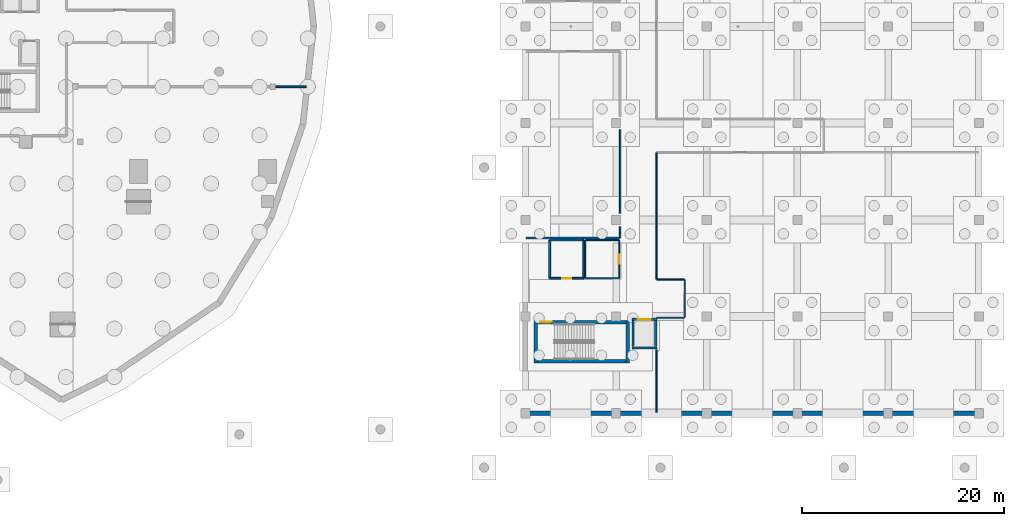
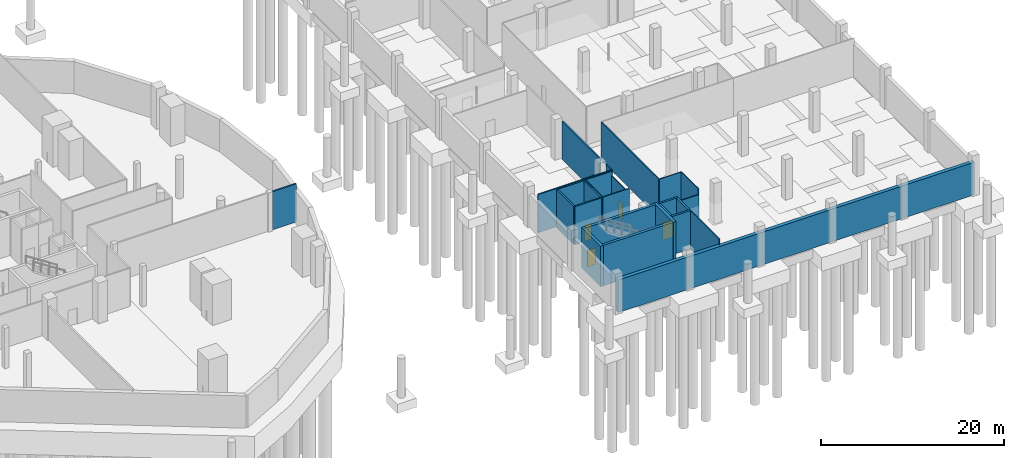
# One storey, part 7 of 22: 26 walls, 4 doors, 4 openings.
"""IFC4 building model written with IfcOpenShell, lengths in metres."""

import ifcopenshell
import ifcopenshell.guid

model = None  # the IFC model being written
_history = None  # IfcOwnerHistory: only IFC2X3 demands one
_inside = {}  # id of a spatial element -> (the spatial element, [elements in it])
_under = {}  # id of a project, library or spatial element -> (it, [spatial elements below it])
_declared = {}  # id of a project -> (the project, [libraries it declares])
_typed = {}  # id of a type object -> (the type object, [elements of that type])
_made_of = {}  # id of a material, layer set ... -> (it, [elements and type objects made of it])


def new_model(schema):
    """Start an empty IFC model of exactly this schema.

    Asked for "IFC4X3", IfcOpenShell would pick the latest addendum, in which some entities
    have other attributes; the version numbers below select the first issue.
    IFC2X3 requires an IfcOwnerHistory on every rooted entity: one is made here for all.
    """
    global model, _history
    if schema == "IFC4X3":
        model = ifcopenshell.file(schema_version=(4, 3, 0, 0))
    else:
        model = ifcopenshell.file(schema=schema)
    _inside.clear()
    _under.clear()
    _declared.clear()
    _typed.clear()
    _made_of.clear()
    _history = None
    if model.schema == "IFC2X3":
        org = make("IfcOrganization", Name="unknown")
        user = make(
            "IfcPersonAndOrganization",
            ThePerson=make("IfcPerson", FamilyName="unknown"),
            TheOrganization=org,
        )
        app = make(
            "IfcApplication",
            ApplicationDeveloper=org,
            Version="unknown",
            ApplicationFullName="unknown",
            ApplicationIdentifier="unknown",
        )
        _history = make(
            "IfcOwnerHistory",
            OwningUser=user,
            OwningApplication=app,
            ChangeAction="ADDED",
            CreationDate=0,
        )
    return model


def make(cls, **values):
    """One entity of the class cls with the attributes given. An attribute that is None is left unset."""
    return model.create_entity(
        cls, **{name: value for name, value in values.items() if value is not None}
    )


def rooted(cls, **values):
    """An entity with a GlobalId (a new one), such as an element, a storey or a relation."""
    return make(cls, GlobalId=ifcopenshell.guid.new(), OwnerHistory=_history, **values)


def si_unit(unit_type, name, prefix=None):
    """IfcSIUnit, for example si_unit("LENGTHUNIT", "METRE", prefix="MILLI")."""
    return make("IfcSIUnit", UnitType=unit_type, Prefix=prefix, Name=name)


def assignment(units):
    """IfcUnitAssignment: the units of a project."""
    return None if units is None else make("IfcUnitAssignment", Units=units)


def point(xyz):
    """IfcCartesianPoint."""
    return None if xyz is None else make("IfcCartesianPoint", Coordinates=xyz)


def direction(xyz):
    """IfcDirection."""
    return None if xyz is None else make("IfcDirection", DirectionRatios=xyz)


def frame(location, z_axis=None, x_axis=None):
    """IfcAxis2Placement3D, a coordinate frame: its origin and axes. An axis left out is left unset."""
    return make(
        "IfcAxis2Placement3D",
        Location=point(location),
        Axis=direction(z_axis),
        RefDirection=direction(x_axis),
    )


def frame_2d(location, x_axis=None):
    """IfcAxis2Placement2D, a coordinate frame in the plane: its origin and x axis."""
    return make(
        "IfcAxis2Placement2D", Location=point(location), RefDirection=direction(x_axis)
    )


def origin():
    """The frame at (0, 0, 0) with its axes left unset."""
    return frame((0.0, 0.0, 0.0))


def place(relative_to, where):
    """IfcLocalPlacement: puts the frame where relative to a parent placement (None: the world)."""
    return make(
        "IfcLocalPlacement", PlacementRelTo=relative_to, RelativePlacement=where
    )


def context(
    kind, dimensions, precision=None, world=None, true_north=None, identifier=None
):
    """IfcGeometricRepresentationContext, for example the 3D "Model" context."""
    return make(
        "IfcGeometricRepresentationContext",
        ContextIdentifier=identifier,
        ContextType=kind,
        CoordinateSpaceDimension=dimensions,
        Precision=precision,
        WorldCoordinateSystem=world,
        TrueNorth=true_north,
    )


def subcontext(parent, identifier, kind, view, scale=None):
    """IfcGeometricRepresentationSubContext, for example "Body" below "Model"."""
    return make(
        "IfcGeometricRepresentationSubContext",
        ContextIdentifier=identifier,
        ContextType=kind,
        ParentContext=parent,
        TargetScale=scale,
        TargetView=view,
    )


def project(units=None, contexts=None):
    """IfcProject with its units and contexts."""
    return rooted(
        "IfcProject",
        Name="project",
        RepresentationContexts=contexts,
        UnitsInContext=assignment(units),
    )


def spatial(cls, under=None, at=None, **own):
    """A site, building, storey or space (cls), placed at a placement, below another one or the project."""
    s = rooted(cls, ObjectPlacement=at, **own)
    if under is not None:
        _under.setdefault(under.id(), (under, []))[1].append(s)
    return s


def profile(cls, at=None, kind="AREA", **sizes):
    """A parametric profile (cls). Its sizes go by their IFC names, for example OverallWidth=200.0."""
    return make(cls, ProfileType=kind, Position=at, **sizes)


def rectangle(**sizes):
    """IfcRectangleProfileDef."""
    return profile("IfcRectangleProfileDef", **sizes)


def extrude(swept, where, along, depth):
    """IfcExtrudedAreaSolid: the profile swept, set in the frame where, extruded along a direction by depth."""
    return make(
        "IfcExtrudedAreaSolid",
        SweptArea=swept,
        Position=where,
        ExtrudedDirection=direction(along),
        Depth=depth,
    )


def shape(context_of_items, identifier, shape_type, items):
    """IfcShapeRepresentation: the items that make up one representation, for example the "Body"."""
    return make(
        "IfcShapeRepresentation",
        ContextOfItems=context_of_items,
        RepresentationIdentifier=identifier,
        RepresentationType=shape_type,
        Items=items,
    )


def material(Name=None, Category=None):
    """IfcMaterial."""
    return make("IfcMaterial", Name=Name, Category=Category)


def layer(
    of_material, thickness, ventilated=None, Name=None, Category=None, Priority=None
):
    """IfcMaterialLayer: one layer of a wall or slab, of a material (None: an air gap)."""
    return make(
        "IfcMaterialLayer",
        Material=of_material,
        LayerThickness=thickness,
        IsVentilated=ventilated,
        Name=Name,
        Category=Category,
        Priority=Priority,
    )


def layer_set(layers, Name=None):
    """IfcMaterialLayerSet."""
    return make("IfcMaterialLayerSet", MaterialLayers=layers, LayerSetName=Name)


def made_of(thing, what):
    """Note that an element or type object is made of a material, layer set ...; save() writes the relation."""
    if what is not None:
        _made_of.setdefault(what.id(), (what, []))[1].append(thing)
    return thing


def type_object(cls, material=None, **own):
    """A type object (cls), such as IfcWallType, which elements share."""
    return made_of(rooted(cls, **own), material)


def element(
    cls,
    number,
    at=None,
    inside=None,
    cuts=None,
    type_object=None,
    material=None,
    context=None,
    identifier="Body",
    shape_type=None,
    held_by="IfcProductDefinitionShape",
    body=None,
    shapes=None,
    **own,
):
    """One element of the class cls, such as IfcWall. Its Tag is "e" and its number.

    at: its placement. inside: the storey or other place that contains it. cuts: it is an
    opening in that element (IfcRelVoidsElement). A single representation is given by context,
    identifier, shape_type and body (its items); several are given by shapes. held_by: the class
    of the entity that holds the representations. save() writes the other relations.
    """
    e = rooted(cls, Tag="e%d" % number, ObjectPlacement=at, **own)
    if body is not None:
        shapes = [shape(context, identifier, shape_type, body)]
    if shapes is not None:
        e.Representation = make(held_by, Representations=shapes)
    if inside is not None:
        _inside.setdefault(inside.id(), (inside, []))[1].append(e)
    if cuts is not None:
        rooted(
            "IfcRelVoidsElement", RelatingBuildingElement=cuts, RelatedOpeningElement=e
        )
    if type_object is not None:
        _typed.setdefault(type_object.id(), (type_object, []))[1].append(e)
    return made_of(e, material)


def fill(opening, filler):
    """IfcRelFillsElement: the door or window that sits in an opening."""
    return rooted(
        "IfcRelFillsElement",
        RelatingOpeningElement=opening,
        RelatedBuildingElement=filler,
    )


def aggregate(whole, parts):
    """IfcRelAggregates: a whole, such as a stair, and the parts it consists of."""
    return rooted("IfcRelAggregates", RelatingObject=whole, RelatedObjects=parts)


def save(model, path):
    """Write the relations noted so far, then the file.

    IfcRelAggregates (storeys below a building ...), IfcRelContainedInSpatialStructure (elements
    in a storey), IfcRelDefinesByType, IfcRelAssociatesMaterial and IfcRelDeclares: one each for
    every whole, place, type object, material and project.
    """
    for whole, parts in _under.values():
        aggregate(whole, parts)
    for where, things in _inside.values():
        rooted(
            "IfcRelContainedInSpatialStructure",
            RelatedElements=things,
            RelatingStructure=where,
        )
    for kind, things in _typed.values():
        rooted("IfcRelDefinesByType", RelatedObjects=things, RelatingType=kind)
    for what, things in _made_of.values():
        rooted("IfcRelAssociatesMaterial", RelatedObjects=things, RelatingMaterial=what)
    for by, libraries in _declared.values():
        rooted("IfcRelDeclares", RelatingContext=by, RelatedDefinitions=libraries)
    model.write(path)


model = new_model("IFC4")

# Units and contexts
model_context = context("Model", 3, precision=1e-05, world=origin(), true_north=direction((0.0, 1.0)))
body_context = subcontext(model_context, "Body", "Model", "MODEL_VIEW")
ifc_project = project(units=[si_unit("LENGTHUNIT", "METRE"), si_unit("AREAUNIT", "SQUARE_METRE"), si_unit("VOLUMEUNIT", "CUBIC_METRE"), si_unit("PLANEANGLEUNIT", "RADIAN"), si_unit("MASSUNIT", "GRAM", prefix="KILO")], contexts=[model_context])

# Site, building, storey
site_placement = place(None, origin())
site = spatial("IfcSite", under=ifc_project, at=site_placement, CompositionType="ELEMENT")
building_placement = place(site_placement, origin())
building = spatial("IfcBuilding", under=site, at=building_placement, Name="Qorvath Tower", CompositionType="ELEMENT")
storey_placement = place(building_placement, frame((0.0, 0.0, -5.39990234375)))
storey = spatial("IfcBuildingStorey", under=building, at=storey_placement, Name="B01", CompositionType="ELEMENT", Elevation=-5.39990234375)

# Wall
ifc_material_1 = material(Name="Gypsum shaftliner on steel studs", Category="steel")
ifc_layer_1 = layer(ifc_material_1, 0.179931640625)
ifc_layer_set_1 = layer_set([ifc_layer_1], Name="FW-LOBBY")
wall_type_1 = type_object("IfcWallType", Name="FW-LOBBY", PredefinedType="PARTITIONING", material=ifc_layer_set_1)
wall_1_placement = place(storey_placement, frame((10.645751953125, -6.0, 0.0), z_axis=(0.0, 0.0, 1.0), x_axis=(-1.0, 0.0, 0.0)))
element("IfcWall", 1, at=wall_1_placement, inside=storey, type_object=wall_type_1, Name="Interior Partition IW-T1-B01-018", PredefinedType="PARTITIONING", context=body_context, shape_type="SweptSolid", body=[
    extrude(rectangle(XDim=3.005859375, YDim=0.179931640625, at=frame_2d((1.5029296875, 0.0))), origin(), (0.0, 0.0, 1.0), 5.099853515625),
])

# Wall, opening, door
wall_2_placement = place(storey_placement, frame((34.824951171875, -25.0, 0.0), z_axis=(0.0, 0.0, 1.0), x_axis=(1.0, 0.0, 0.0)))
wall_2 = element("IfcWall", 2, at=wall_2_placement, inside=storey, type_object=wall_type_1, Name="Interior Partition IW-LB-B01-023", PredefinedType="PARTITIONING", context=body_context, shape_type="SweptSolid", body=[
    extrude(rectangle(XDim=3.35009765625, YDim=0.179931640625, at=frame_2d((1.675048828125, 0.0))), origin(), (0.0, 0.0, 1.0), 5.099853515625),
])
opening_1_placement = place(wall_2_placement, frame((1.235107421875, 0.0, 0.0)))
opening_1 = element("IfcOpeningElement", 3, at=opening_1_placement, cuts=wall_2, Name="Opening D-LB-B01-06", PredefinedType="OPENING", context=body_context, shape_type="SweptSolid", body=[
    extrude(rectangle(XDim=0.8798828125, YDim=2.10009765625, at=frame_2d((0.43994140625, 1.050048828125))), frame((0.0, 0.10009765625, 0.0), z_axis=(0.0, -1.0, 0.0), x_axis=(1.0, 0.0, 0.0)), (0.0, 0.0, 1.0), 0.199951171875),
])
ifc_material_2 = material(Name="Painted galvanised hollow metal", Category="steel")
door_type_1 = type_object("IfcDoorType", Name="FD-60N", OperationType="NOTDEFINED", PredefinedType="DOOR", material=ifc_material_2)
door_1_placement = place(opening_1_placement, origin())
door_1 = element("IfcDoor", 4, at=door_1_placement, inside=storey, type_object=door_type_1, Name="Cleaner Custodial Closet B01 Door D-LB-B01-06", OperationType="SINGLE_SWING_LEFT", OverallHeight=2.10009765625, OverallWidth=0.8798828125, PredefinedType="DOOR", context=body_context, shape_type="SweptSolid", body=[
    extrude(rectangle(XDim=0.8798828125, YDim=2.10009765625, at=frame_2d((0.43994140625, 1.050048828125))), frame((0.0, 0.02490234375, 0.0), z_axis=(0.0, -1.0, 0.0), x_axis=(1.0, 0.0, 0.0)), (0.0, 0.0, 1.0), 0.050048828125),
])
fill(opening_1, door_1)

# Walls
wall_3_placement = place(storey_placement, frame((38.199951171875, -24.97509765625, 0.0), z_axis=(0.0, 0.0, 1.0), x_axis=(0.0, 1.0, 0.0)))
element("IfcWall", 5, at=wall_3_placement, inside=storey, type_object=wall_type_1, Name="Interior Partition IW-LB-B01-024", PredefinedType="PARTITIONING", context=body_context, shape_type="SweptSolid", body=[
    extrude(rectangle(XDim=3.75, YDim=0.179931640625, at=frame_2d((1.875, 0.0))), origin(), (0.0, 0.0, 1.0), 5.099853515625),
])
wall_4_placement = place(storey_placement, frame((38.175048828125, -21.199951171875, 0.0), z_axis=(0.0, 0.0, 1.0), x_axis=(-1.0, 0.0, 0.0)))
element("IfcWall", 6, at=wall_4_placement, inside=storey, type_object=wall_type_1, Name="Interior Partition IW-LB-B01-025", PredefinedType="PARTITIONING", context=body_context, shape_type="SweptSolid", body=[
    extrude(rectangle(XDim=3.35009765625, YDim=0.179931640625, at=frame_2d((1.675048828125, 0.0))), origin(), (0.0, 0.0, 1.0), 5.099853515625),
])
wall_5_placement = place(storey_placement, frame((34.800048828125, -21.22509765625, 0.0), z_axis=(0.0, 0.0, 1.0), x_axis=(0.0, -1.0, 0.0)))
element("IfcWall", 7, at=wall_5_placement, inside=storey, type_object=wall_type_1, Name="Interior Partition IW-LB-B01-026", PredefinedType="PARTITIONING", context=body_context, shape_type="SweptSolid", body=[
    extrude(rectangle(XDim=3.75, YDim=0.179931640625, at=frame_2d((1.875, 0.0))), origin(), (0.0, 0.0, 1.0), 5.099853515625),
])
ifc_material_3 = material(Name="Double acoustic gypsum board on steel studs", Category="steel")
ifc_layer_2 = layer(ifc_material_3, 0.159912109375)
ifc_layer_set_2 = layer_set([ifc_layer_2], Name="IW-ACOUSTIC-160")
wall_type_2 = type_object("IfcWallType", Name="IW-ACOUSTIC-160", PredefinedType="PARTITIONING", material=ifc_layer_set_2)
wall_6_placement = place(storey_placement, frame((32.47998046875, -21.0, 0.0), z_axis=(0.0, 0.0, 1.0), x_axis=(1.0, 0.0, 0.0)))
element("IfcWall", 8, at=wall_6_placement, inside=storey, type_object=wall_type_2, Name="Interior Partition IW-LB-B01-013", PredefinedType="PARTITIONING", context=body_context, shape_type="SweptSolid", body=[
    extrude(rectangle(XDim=9.294921875, YDim=0.159912109375, at=frame_2d((4.6474609375, 0.0))), origin(), (0.0, 0.0, 1.0), 5.099853515625),
])
wall_7_placement = place(storey_placement, frame((41.800048828125, -20.97509765625, 0.0), z_axis=(0.0, 0.0, 1.0), x_axis=(0.0, 1.0, 0.0)))
element("IfcWall", 9, at=wall_7_placement, inside=storey, type_object=wall_type_2, Name="Interior Partition IW-LB-B01-014", PredefinedType="PARTITIONING", context=body_context, shape_type="SweptSolid", body=[
    extrude(rectangle(XDim=1.10009765625, YDim=0.159912109375, at=frame_2d((0.550048828125, 0.0))), origin(), (0.0, 0.0, 1.0), 5.099853515625),
])
wall_8_placement = place(storey_placement, frame((41.800048828125, -18.52490234375, 0.0), z_axis=(0.0, 0.0, 1.0), x_axis=(0.0, 1.0, 0.0)))
element("IfcWall", 10, at=wall_8_placement, inside=storey, type_object=wall_type_2, Name="Interior Partition IW-LB-B01-015", PredefinedType="PARTITIONING", context=body_context, shape_type="SweptSolid", body=[
    extrude(rectangle(XDim=8.25, YDim=0.159912109375, at=frame_2d((4.125, 0.0))), origin(), (0.0, 0.0, 1.0), 5.099853515625),
])
ifc_material_4 = material(Name="Gypsum board on metal studs with mineral wool", Category="gypsum")
ifc_layer_3 = layer(ifc_material_4, 0.125)
ifc_layer_set_3 = layer_set([ifc_layer_3], Name="IW-PART-125")
wall_type_3 = type_object("IfcWallType", Name="IW-PART-125", PredefinedType="PARTITIONING", material=ifc_layer_set_3)
wall_9_placement = place(storey_placement, frame((45.407958984375, -12.533203125, 0.0), z_axis=(0.0, 0.0, 1.0), x_axis=(0.0, -1.0, 0.0)))
element("IfcWall", 11, at=wall_9_placement, inside=storey, type_object=wall_type_3, Name="Interior Partition IW-LB-B01-044", PredefinedType="PARTITIONING", context=body_context, shape_type="SweptSolid", body=[
    extrude(rectangle(XDim=12.553955078125, YDim=0.125, at=frame_2d((6.27685546875, 0.0))), origin(), (0.0, 0.0, 1.0), 5.099853515625),
])
wall_10_placement = place(storey_placement, frame((48.18310546875, -25.112060546875, 0.0), z_axis=(0.0, 0.0, 1.0), x_axis=(-1.0, 0.0, 0.0)))
element("IfcWall", 12, at=wall_10_placement, inside=storey, type_object=wall_type_3, Name="Interior Partition IW-LB-B01-045", PredefinedType="PARTITIONING", context=body_context, shape_type="SweptSolid", body=[
    extrude(rectangle(XDim=2.75, YDim=0.125, at=frame_2d((1.375, 0.0))), origin(), (0.0, 0.0, 1.0), 5.099853515625),
])
wall_11_placement = place(storey_placement, frame((48.2080078125, -25.13720703125, 0.0), z_axis=(0.0, 0.0, 1.0), x_axis=(0.0, -1.0, 0.0)))
element("IfcWall", 13, at=wall_11_placement, inside=storey, type_object=wall_type_3, Name="Interior Partition IW-LB-B01-046", PredefinedType="PARTITIONING", context=body_context, shape_type="SweptSolid", body=[
    extrude(rectangle(XDim=3.745849609375, YDim=0.125, at=frame_2d((1.873046875, 0.0))), origin(), (0.0, 0.0, 1.0), 5.099853515625),
])
wall_12_placement = place(storey_placement, frame((45.4248046875, -28.907958984375, 0.0), z_axis=(0.0, 0.0, 1.0), x_axis=(1.0, 0.0, 0.0)))
element("IfcWall", 14, at=wall_12_placement, inside=storey, type_object=wall_type_3, Name="Interior Partition IW-LB-B01-047", PredefinedType="PARTITIONING", context=body_context, shape_type="SweptSolid", body=[
    extrude(rectangle(XDim=2.75830078125, YDim=0.125, at=frame_2d((1.379150390625, 0.0))), origin(), (0.0, 0.0, 1.0), 4.3740234375),
])
wall_13_placement = place(storey_placement, frame((45.39990234375, -32.0849609375, 0.0), z_axis=(0.0, 0.0, 1.0), x_axis=(0.0, -1.0, 0.0)))
element("IfcWall", 15, at=wall_13_placement, inside=storey, type_object=wall_type_3, Name="Interior Partition IW-LB-B01-048", PredefinedType="PARTITIONING", context=body_context, shape_type="SweptSolid", body=[
    extrude(rectangle(XDim=6.235107421875, YDim=0.125, at=frame_2d((3.11767578125, 0.0))), origin(), (0.0, 0.0, 1.0), 5.099853515625),
])
ifc_material_5 = material(Name="Moisture-resistant cement board on metal studs", Category="gypsum")
ifc_layer_4 = layer(ifc_material_5, 0.110107421875)
ifc_layer_set_4 = layer_set([ifc_layer_4], Name="IW-WC-110")
wall_type_4 = type_object("IfcWallType", Name="IW-WC-110", PredefinedType="PARTITIONING", material=ifc_layer_set_4)
wall_14_placement = place(storey_placement, frame((38.375, -25.0, 0.0), z_axis=(0.0, 0.0, 1.0), x_axis=(1.0, 0.0, 0.0)))
element("IfcWall", 16, at=wall_14_placement, inside=storey, type_object=wall_type_4, Name="Interior Partition IW-LB-B01-009", PredefinedType="PARTITIONING", context=body_context, shape_type="SweptSolid", body=[
    extrude(rectangle(XDim=3.300048828125, YDim=0.110107421875, at=frame_2d((1.64990234375, 0.0))), origin(), (0.0, 0.0, 1.0), 5.099853515625),
])

# Wall, opening, door
wall_15_placement = place(storey_placement, frame((41.699951171875, -24.97509765625, 0.0), z_axis=(0.0, 0.0, 1.0), x_axis=(0.0, 1.0, 0.0)))
wall_15 = element("IfcWall", 17, at=wall_15_placement, inside=storey, type_object=wall_type_4, Name="Interior Partition IW-LB-B01-010", PredefinedType="PARTITIONING", context=body_context, shape_type="SweptSolid", body=[
    extrude(rectangle(XDim=3.75, YDim=0.110107421875, at=frame_2d((1.875, 0.0))), origin(), (0.0, 0.0, 1.0), 4.453857421875),
])
opening_2_placement = place(wall_15_placement, frame((1.43505859375, 0.0, 0.0)))
opening_2 = element("IfcOpeningElement", 18, at=opening_2_placement, cuts=wall_15, Name="Opening D-LB-B01-03", PredefinedType="OPENING", context=body_context, shape_type="SweptSolid", body=[
    extrude(rectangle(XDim=0.8798828125, YDim=2.10009765625, at=frame_2d((0.43994140625, 1.050048828125))), frame((0.0, 0.06494140625, 0.0), z_axis=(0.0, -1.0, 0.0), x_axis=(1.0, 0.0, 0.0)), (0.0, 0.0, 1.0), 0.130126953125),
])
ifc_material_6 = material(Name="Solid-core oak with acoustic drop seal", Category="wood")
door_type_2 = type_object("IfcDoorType", Name="D-02", OperationType="NOTDEFINED", PredefinedType="DOOR", material=ifc_material_6)
door_2_placement = place(opening_2_placement, origin())
door_2 = element("IfcDoor", 19, at=door_2_placement, inside=storey, type_object=door_type_2, Name="Accessible WC East Wing B01 Door D-LB-B01-03", OperationType="SINGLE_SWING_RIGHT", OverallHeight=2.10009765625, OverallWidth=0.8798828125, PredefinedType="DOOR", context=body_context, shape_type="SweptSolid", body=[
    extrude(rectangle(XDim=0.8798828125, YDim=2.10009765625, at=frame_2d((0.43994140625, 1.050048828125))), frame((0.0, 0.02490234375, 0.0), z_axis=(0.0, -1.0, 0.0), x_axis=(1.0, 0.0, 0.0)), (0.0, 0.0, 1.0), 0.050048828125),
])
fill(opening_2, door_2)

# Walls
wall_16_placement = place(storey_placement, frame((41.675048828125, -21.199951171875, 0.0), z_axis=(0.0, 0.0, 1.0), x_axis=(-1.0, 0.0, 0.0)))
element("IfcWall", 20, at=wall_16_placement, inside=storey, type_object=wall_type_4, Name="Interior Partition IW-LB-B01-011", PredefinedType="PARTITIONING", context=body_context, shape_type="SweptSolid", body=[
    extrude(rectangle(XDim=3.300048828125, YDim=0.110107421875, at=frame_2d((1.64990234375, 0.0))), origin(), (0.0, 0.0, 1.0), 5.099853515625),
])
wall_17_placement = place(storey_placement, frame((38.35009765625, -21.22509765625, 0.0), z_axis=(0.0, 0.0, 1.0), x_axis=(0.0, -1.0, 0.0)))
element("IfcWall", 21, at=wall_17_placement, inside=storey, type_object=wall_type_4, Name="Interior Partition IW-LB-B01-012", PredefinedType="PARTITIONING", context=body_context, shape_type="SweptSolid", body=[
    extrude(rectangle(XDim=3.75, YDim=0.110107421875, at=frame_2d((1.875, 0.0))), origin(), (0.0, 0.0, 1.0), 5.099853515625),
])
ifc_material_7 = material(Name="Concrete C60/75", Category="concrete")
ifc_layer_5 = layer(ifc_material_7, 0.260009765625)
ifc_layer_set_5 = layer_set([ifc_layer_5], Name="SW-SHAFT")
wall_type_5 = type_object("IfcWallType", Name="SW-SHAFT", PredefinedType="SHEAR", material=ifc_layer_set_5)
wall_18_placement = place(storey_placement, frame((45.43994140625, -31.919921875, 0.0), z_axis=(0.0, 0.0, 1.0), x_axis=(-1.0, 0.0, 0.0)))
element("IfcWall", 22, at=wall_18_placement, inside=storey, type_object=wall_type_5, Name="Hoistway Wall LGL-1 B01 S", PredefinedType="SHEAR", context=body_context, shape_type="SweptSolid", body=[
    extrude(rectangle(XDim=2.47998046875, YDim=0.239990234375, at=frame_2d((1.239990234375, 0.0))), origin(), (0.0, 0.0, 1.0), 5.099853515625),
])

# Wall, opening, door
wall_19_placement = place(storey_placement, frame((42.9599609375, -29.080078125, 0.0), z_axis=(0.0, 0.0, 1.0), x_axis=(1.0, 0.0, 0.0)))
wall_19 = element("IfcWall", 23, at=wall_19_placement, inside=storey, type_object=wall_type_5, Name="Hoistway Wall LGL-1 B01 N", PredefinedType="SHEAR", context=body_context, shape_type="SweptSolid", body=[
    extrude(rectangle(XDim=2.47998046875, YDim=0.239990234375, at=frame_2d((1.239990234375, 0.0))), origin(), (0.0, 0.0, 1.0), 5.099853515625),
])
opening_3_placement = place(wall_19_placement, frame((0.590087890625, 0.0, 0.0)))
opening_3 = element("IfcOpeningElement", 24, at=opening_3_placement, cuts=wall_19, Name="Opening LD-LGL-1-B01", PredefinedType="OPENING", context=body_context, shape_type="SweptSolid", body=[
    extrude(rectangle(XDim=1.300048828125, YDim=2.300048828125, at=frame_2d((0.64990234375, 1.14990234375))), frame((0.0, 0.1298828125, 0.0), z_axis=(0.0, -1.0, 0.0), x_axis=(1.0, 0.0, 0.0)), (0.0, 0.0, 1.0), 0.260009765625),
])
ifc_material_8 = material(Name="Brushed stainless steel AISI 316", Category="steel")
door_type_3 = type_object("IfcDoorType", Name="LD-02", OperationType="NOTDEFINED", PredefinedType="DOOR", material=ifc_material_8)
door_3_placement = place(opening_3_placement, origin())
door_3 = element("IfcDoor", 25, at=door_3_placement, inside=storey, type_object=door_type_3, Name="Elevator Landing Sliding Door LD-LGL-1-B01", OperationType="DOUBLE_DOOR_SLIDING", OverallHeight=2.300048828125, OverallWidth=1.300048828125, PredefinedType="DOOR", context=body_context, shape_type="SweptSolid", body=[
    extrude(rectangle(XDim=1.300048828125, YDim=2.300048828125, at=frame_2d((0.64990234375, 1.14990234375))), frame((0.0, 0.02490234375, 0.0), z_axis=(0.0, -1.0, 0.0), x_axis=(1.0, 0.0, 0.0)), (0.0, 0.0, 1.0), 0.050048828125),
])
fill(opening_3, door_3)

# Walls
for number, where, z_axis, x_axis, name in (
    (26, (43.080078125, -31.7880859375, 0.0), (0.0, 0.0, 1.0), (0.0, 1.0, 0.0), "Hoistway Wall LGL-1 B01 W"),
    (27, (45.320068359375, -29.2119140625, 0.0), (0.0, 0.0, 1.0), (0.0, -1.0, 0.0), "Hoistway Wall LGL-1 B01 E"),
):
    element("IfcWall", number, at=place(storey_placement, frame(where, z_axis=z_axis, x_axis=x_axis)), inside=storey, type_object=wall_type_5, Name=name, PredefinedType="SHEAR", context=body_context, shape_type="SweptSolid", body=[
        extrude(rectangle(XDim=2.576171875, YDim=0.239990234375, at=frame_2d((1.2880859375, 0.0))), origin(), (0.0, 0.0, 1.0), 5.099853515625),
    ])
ifc_material_9 = material(Name="Concrete C60/75", Category="concrete")
ifc_layer_6 = layer(ifc_material_9, 0.35009765625)
ifc_layer_set_6 = layer_set([ifc_layer_6], Name="SW-STAIR")
wall_type_6 = type_object("IfcWallType", Name="SW-STAIR", PredefinedType="SHEAR", material=ifc_layer_set_6)
for number, where, z_axis, x_axis, name in (
    (28, (33.425048828125, -29.18994140625, 0.0), (0.0, 0.0, 1.0), (0.0, -1.0, 0.0), "Stair LS2 Shear Wall B01 NEAR"),
    (29, (42.574951171875, -33.39990234375, 0.0), (0.0, 0.0, 1.0), (0.0, 1.0, 0.0), "Stair LS2 Shear Wall B01 FAR"),
):
    element("IfcWall", number, at=place(storey_placement, frame(where, z_axis=z_axis, x_axis=x_axis)), inside=storey, type_object=wall_type_6, Name=name, PredefinedType="SHEAR", context=body_context, shape_type="SweptSolid", body=[
        extrude(rectangle(XDim=4.2099609375, YDim=0.35009765625, at=frame_2d((2.10498046875, 0.0))), origin(), (0.0, 0.0, 1.0), 5.39501953125),
    ])
wall_20_placement = place(storey_placement, frame((33.614990234375, -33.22509765625, 0.0), z_axis=(0.0, 0.0, 1.0), x_axis=(1.0, 0.0, 0.0)))
element("IfcWall", 30, at=wall_20_placement, inside=storey, type_object=wall_type_6, Name="Stair LS2 Shear Wall B01 LEFT", PredefinedType="SHEAR", context=body_context, shape_type="SweptSolid", body=[
    extrude(rectangle(XDim=8.77001953125, YDim=0.35009765625, at=frame_2d((4.385009765625, 0.0))), origin(), (0.0, 0.0, 1.0), 5.39501953125),
])

# Wall, opening, door
wall_21_placement = place(storey_placement, frame((42.385009765625, -29.364990234375, 0.0), z_axis=(0.0, 0.0, 1.0), x_axis=(-1.0, 0.0, 0.0)))
wall_21 = element("IfcWall", 31, at=wall_21_placement, inside=storey, type_object=wall_type_6, Name="Stair LS2 Shear Wall B01 RIGHT", PredefinedType="SHEAR", context=body_context, shape_type="SweptSolid", body=[
    extrude(rectangle(XDim=8.77001953125, YDim=0.35009765625, at=frame_2d((4.385009765625, 0.0))), origin(), (0.0, 0.0, 1.0), 5.39501953125),
])
opening_4_placement = place(wall_21_placement, frame((7.389892578125, 0.0, 0.0)))
opening_4 = element("IfcOpeningElement", 32, at=opening_4_placement, cuts=wall_21, Name="Opening D-LS2-B01", PredefinedType="OPENING", context=body_context, shape_type="SweptSolid", body=[
    extrude(rectangle(XDim=1.10009765625, YDim=2.199951171875, at=frame_2d((0.550048828125, 1.10009765625))), frame((0.0, 0.18505859375, 0.0), z_axis=(0.0, -1.0, 0.0), x_axis=(1.0, 0.0, 0.0)), (0.0, 0.0, 1.0), 0.3701171875),
])
ifc_material_10 = material(Name="Painted galvanised hollow metal", Category="steel")
door_type_4 = type_object("IfcDoorType", Name="FD-90", OperationType="NOTDEFINED", PredefinedType="DOOR", material=ifc_material_10)
door_4_placement = place(opening_4_placement, origin())
door_4 = element("IfcDoor", 33, at=door_4_placement, inside=storey, type_object=door_type_4, Name="Stair LS2 Fire Door B01", OperationType="SINGLE_SWING_RIGHT", OverallHeight=2.199951171875, OverallWidth=1.10009765625, PredefinedType="DOOR", context=body_context, shape_type="SweptSolid", body=[
    extrude(rectangle(XDim=1.10009765625, YDim=2.199951171875, at=frame_2d((0.550048828125, 1.10009765625))), frame((0.0, 0.02490234375, 0.0), z_axis=(0.0, -1.0, 0.0), x_axis=(1.0, 0.0, 0.0)), (0.0, 0.0, 1.0), 0.050048828125),
])
fill(opening_4, door_4)

# Wall
ifc_material_11 = material(Name="Concrete C45/55", Category="concrete")
ifc_layer_7 = layer(ifc_material_11, 0.449951171875)
ifc_layer_set_7 = layer_set([ifc_layer_7], Name="WL-RW-450")
wall_type_7 = type_object("IfcWallType", Name="WL-RW-450", PredefinedType="USERDEFINED", material=ifc_layer_set_7)
wall_22_placement = place(storey_placement, frame((32.39990234375, -38.39990234375, 0.0), z_axis=(0.0, 0.0, 1.0), x_axis=(1.0, 0.0, 0.0)))
element("IfcWall", 34, at=wall_22_placement, inside=storey, type_object=wall_type_7, Name="Library Basement Retaining Wall 1", ObjectType="RETAININGWALL", PredefinedType="USERDEFINED", context=body_context, shape_type="SweptSolid", body=[
    extrude(rectangle(XDim=45.0, YDim=0.449951171875, at=frame_2d((22.5, 0.0))), origin(), (0.0, 0.0, 1.0), 4.349853515625),
])

save(model, "model.ifc")
